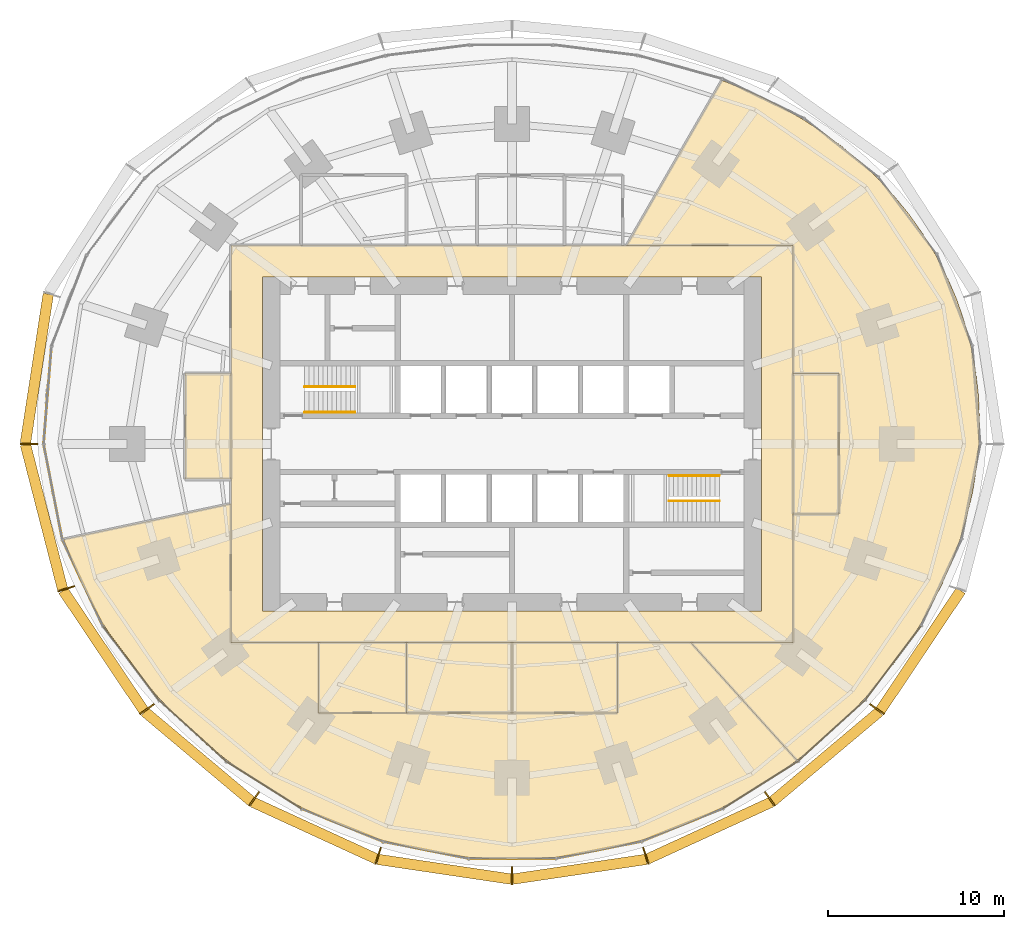
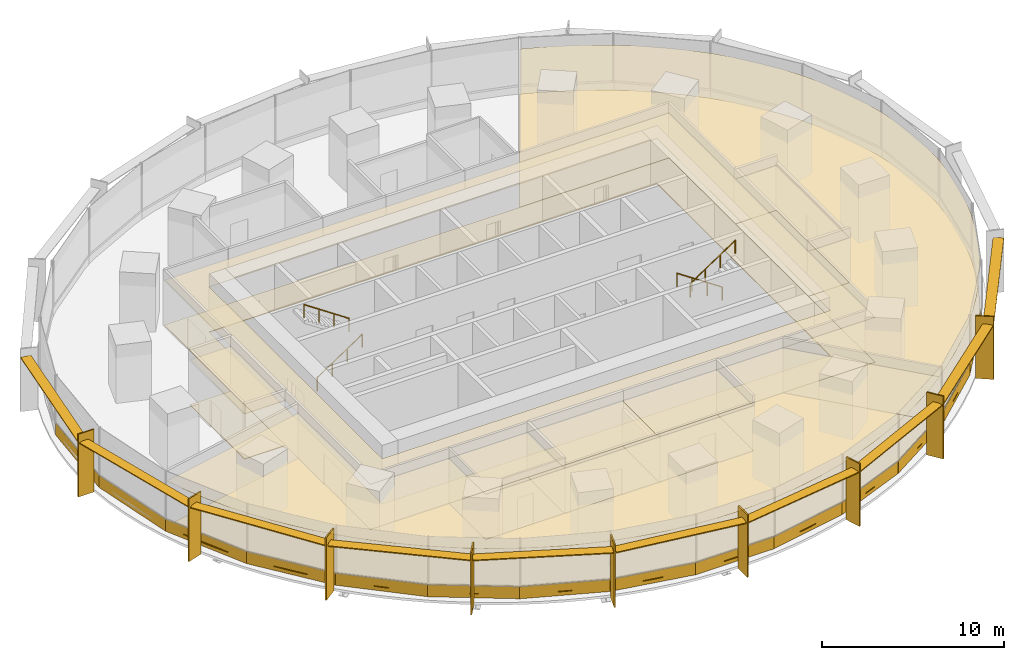
# One storey, part 14 of 15: 30 coverings, 19 shading devices, 4 railings.
"""IFC4 building model written with IfcOpenShell, lengths in metres."""

from ifc_helpers import new_model, si_unit, direction, frame, origin, origin_2d, place, context, subcontext, project, spatial, polyline, rectangle, circle, outline, extrude, material, layer, layer_set, type_object, element, save


model = new_model("IFC4")

# Units and contexts
model_context = context("Model", 3, precision=1e-05, world=origin(), true_north=direction((0.0, 1.0)))
body_context = subcontext(model_context, "Body", "Model", "MODEL_VIEW")
ifc_project = project(units=[si_unit("LENGTHUNIT", "METRE"), si_unit("AREAUNIT", "SQUARE_METRE"), si_unit("VOLUMEUNIT", "CUBIC_METRE"), si_unit("PLANEANGLEUNIT", "RADIAN"), si_unit("MASSUNIT", "GRAM", prefix="KILO")], contexts=[model_context])

# Site, building, storey
site_placement = place(None, origin())
site = spatial("IfcSite", under=ifc_project, at=site_placement, CompositionType="ELEMENT")
building_placement = place(site_placement, origin())
building = spatial("IfcBuilding", under=site, at=building_placement, Name="Marramba Exchange Tower", CompositionType="ELEMENT")
storey_placement = place(building_placement, frame((0.0, 0.0, 44.800048828125)))
storey = spatial("IfcBuildingStorey", under=building, at=storey_placement, Name="L10", CompositionType="ELEMENT", Elevation=44.800048828125)

# Shading devices
ifc_material_1 = material(Name="Aluminium blade, timber-look bronze finish", Category="wood")
ifc_layer_1 = layer(ifc_material_1, 0.080078125)
ifc_layer_set_1 = layer_set([ifc_layer_1], Name="Floor-edge blade 1000x80")
shading_device_type_1 = type_object("IfcShadingDeviceType", Name="Floor-edge blade 1000x80", PredefinedType="USERDEFINED", material=ifc_layer_set_1)
for number, where, z_axis, x_axis, name in (
    (1, (-27.5, 0.0, -0.16015625), (0.0, 0.0, 1.0), (-1.0, 0.0, 0.0), "Floor-edge blade FB1 L10 TC11"),
    (2, (-25.3740234375, -8.24462890625, -0.16015625), (0.0, 0.0, 1.0), (-0.951056516295, -0.309016994375, 0.0), "Floor-edge blade FB1 L10 TC12"),
    (3, (-20.773193359375, -15.092529296875, -0.16015625), (0.0, 0.0, 1.0), (-0.809016994375, -0.587785252292, 0.0), "Floor-edge blade FB1 L10 TC13"),
    (4, (-14.6787109375, -20.20361328125, -0.16015625), (0.0, 0.0, 1.0), (-0.587785252292, -0.809016994375, 0.0), "Floor-edge blade FB1 L10 TC14"),
    (5, (-7.61767578125, -23.444580078125, -0.16015625), (0.0, 0.0, 1.0), (-0.309016994375, -0.951056516295, 0.0), "Floor-edge blade FB1 L10 TC15"),
    (6, (0.0, -24.572021484375, -0.16015625), (0.0, 0.0, 1.0), (0.0, -1.0, 0.0), "Floor-edge blade FB1 L10 TC16"),
    (7, (7.61767578125, -23.444580078125, -0.16015625), (0.0, 0.0, 1.0), (0.309016994375, -0.951056516295, 0.0), "Floor-edge blade FB1 L10 TC17"),
    (8, (14.6787109375, -20.20361328125, -0.16015625), (0.0, 0.0, 1.0), (0.587785252292, -0.809016994375, 0.0), "Floor-edge blade FB1 L10 TC18"),
    (9, (20.773193359375, -15.092529296875, -0.16015625), (0.0, 0.0, 1.0), (0.809016994375, -0.587785252292, 0.0), "Floor-edge blade FB1 L10 TC19"),
):
    element("IfcShadingDevice", number, at=place(storey_placement, frame(where, z_axis=z_axis, x_axis=x_axis)), inside=storey, type_object=shading_device_type_1, Name=name, ObjectType="FIN", PredefinedType="USERDEFINED", context=body_context, shape_type="SweptSolid", body=[
        extrude(rectangle(XDim=1.0, YDim=0.080078125, at=origin_2d()), origin(), (0.0, 0.0, 1.0), 4.199951171875),
    ])

# Coverings
ifc_material_2 = material(Name="Steel raised access floor panels", Category="steel")
ifc_layer_2 = layer(ifc_material_2, 0.050048828125)
ifc_layer_set_2 = layer_set([ifc_layer_2], Name="Raised access floor 300")
covering_type_1 = type_object("IfcCoveringType", Name="Raised access floor 300", PredefinedType="FLOORING", material=ifc_layer_set_2)
covering_1_placement = place(storey_placement, frame((0.0, 0.0, 0.25)))
element("IfcCovering", 10, at=covering_1_placement, inside=storey, type_object=covering_type_1, Name="Raised access floor RAF1 L10 Trading Floor 1", PredefinedType="FLOORING", context=body_context, shape_type="SweptSolid", body=[
    extrude(outline(polyline([(16.0, -4.0), (18.60009765625, -4.0), (18.60009765625, 4.0), (16.0, 4.0), (16.0, 11.300048828125), (6.524169921875, 11.300048828125), (11.94921875, 20.69677734375), (13.135986328125, 20.2275390625), (14.31103515625, 19.697509765625), (15.4697265625, 19.103759765625), (16.60693359375, 18.44384765625), (17.71630859375, 17.71630859375), (18.791259765625, 16.919677734375), (19.8251953125, 16.05419921875), (20.810791015625, 15.119873046875), (21.740478515625, 14.118408203125), (22.607177734375, 13.05224609375), (23.40380859375, 11.9248046875), (24.12353515625, 10.740478515625), (24.76025390625, 9.50439453125), (25.30859375, 8.22314453125), (25.763916015625, 6.9033203125), (26.123291015625, 5.552734375), (26.3837890625, 4.1787109375), (26.544921875, 2.7900390625), (26.6064453125, 1.394287109375), (26.570068359375, 0.0), (26.43798828125, -1.385498046875), (26.213623046875, -2.755126953125), (25.9013671875, -4.102294921875), (25.50634765625, -5.421630859375), (25.033935546875, -6.707763671875), (24.489501953125, -7.95703125), (23.879150390625, -9.166259765625), (23.208251953125, -10.3330078125), (22.482177734375, -11.455322265625), (21.7060546875, -12.531982421875), (20.88427734375, -13.5625), (20.020751953125, -14.5458984375), (19.119384765625, -15.482421875), (18.1826171875, -16.371826171875), (17.213623046875, -17.213623046875), (16.21435546875, -18.0078125), (10.174560546875, -11.300048828125), (16.0, -11.300048828125), (16.0, -4.0)])), origin(), (0.0, 0.0, 1.0), 0.050048828125),
])
covering_2_placement = place(storey_placement, frame((0.0, 0.0, 0.25)))
element("IfcCovering", 11, at=covering_2_placement, inside=storey, type_object=covering_type_1, Name="Raised access floor RAF1 L10 Trading Floor 3", PredefinedType="FLOORING", context=body_context, shape_type="SweptSolid", body=[
    extrude(outline(polyline([(-11.0, -11.300048828125), (-11.0, -15.300048828125), (-6.0, -15.300048828125), (0.0, -15.300048828125), (6.0, -15.300048828125), (6.0, -11.300048828125), (10.174560546875, -11.300048828125), (16.21435546875, -18.0078125), (15.1865234375, -18.75390625), (14.132080078125, -19.451171875), (13.052490234375, -20.09912109375), (11.94921875, -20.69677734375), (10.82373046875, -21.242919921875), (9.677734375, -21.736328125), (8.512451171875, -22.17578125), (7.330078125, -22.56005859375), (6.1328125, -22.8876953125), (4.92236328125, -23.15771484375), (3.701416015625, -23.368896484375), (2.47216796875, -23.5205078125), (1.2373046875, -23.611572265625), (0.0, -23.64208984375), (-1.2373046875, -23.611572265625), (-2.47216796875, -23.5205078125), (-3.701416015625, -23.368896484375), (-4.92236328125, -23.15771484375), (-6.1328125, -22.8876953125), (-7.330078125, -22.56005859375), (-8.512451171875, -22.17578125), (-9.677734375, -21.736328125), (-10.82373046875, -21.242919921875), (-11.94921875, -20.69677734375), (-13.052490234375, -20.09912109375), (-14.132080078125, -19.451171875), (-15.1865234375, -18.75390625), (-16.21435546875, -18.0078125), (-17.213623046875, -17.213623046875), (-18.1826171875, -16.371826171875), (-19.119384765625, -15.482421875), (-20.020751953125, -14.5458984375), (-20.88427734375, -13.5625), (-21.7060546875, -12.531982421875), (-22.482177734375, -11.455322265625), (-23.208251953125, -10.3330078125), (-23.879150390625, -9.166259765625), (-24.489501953125, -7.95703125), (-25.033935546875, -6.707763671875), (-25.50634765625, -5.421630859375), (-16.906494140625, -3.593505859375), (-16.0, -3.40087890625), (-16.0, -11.300048828125), (-11.0, -11.300048828125)])), origin(), (0.0, 0.0, 1.0), 0.050048828125),
])
covering_3_placement = place(storey_placement, frame((0.0, 0.0, 0.25)))
element("IfcCovering", 12, at=covering_3_placement, inside=storey, type_object=covering_type_1, Name="Raised access floor RAF1 L10 Corridor", PredefinedType="FLOORING", context=body_context, shape_type="SweptSolid", body=[
    extrude(outline(polyline([(-16.0, 11.300048828125), (16.0, 11.300048828125), (16.0, -11.300048828125), (-16.0, -11.300048828125), (-16.0, 11.300048828125)]), holes=[polyline([(-14.199951171875, 9.5), (-14.199951171875, -9.5), (14.199951171875, -9.5), (14.199951171875, 9.5), (-14.199951171875, 9.5)])]), origin(), (0.0, 0.0, 1.0), 0.050048828125),
])
covering_4_placement = place(storey_placement, frame((0.0, 0.0, 0.25)))
element("IfcCovering", 13, at=covering_4_placement, inside=storey, type_object=covering_type_1, Name="Raised access floor RAF1 L10 Data Room 1", PredefinedType="FLOORING", context=body_context, shape_type="SweptSolid", body=[
    extrude(outline(polyline([(18.60009765625, -4.0), (16.0, -4.0), (16.0, 4.0), (18.60009765625, 4.0), (18.60009765625, -4.0)])), origin(), (0.0, 0.0, 1.0), 0.050048828125),
])
covering_5_placement = place(storey_placement, frame((0.0, 0.0, 0.25)))
element("IfcCovering", 14, at=covering_5_placement, inside=storey, type_object=covering_type_1, Name="Raised access floor RAF1 L10 Data Room 2", PredefinedType="FLOORING", context=body_context, shape_type="SweptSolid", body=[
    extrude(outline(polyline([(-16.0, -2.0), (-18.60009765625, -2.0), (-18.60009765625, 4.0), (-16.0, 4.0), (-16.0, -2.0)])), origin(), (0.0, 0.0, 1.0), 0.050048828125),
])
covering_6_placement = place(storey_placement, frame((0.0, 0.0, 0.25)))
element("IfcCovering", 15, at=covering_6_placement, inside=storey, type_object=covering_type_1, Name="Raised access floor RAF1 L10 Data Room 3", PredefinedType="FLOORING", context=body_context, shape_type="SweptSolid", body=[
    extrude(outline(polyline([(0.0, -15.300048828125), (-6.0, -15.300048828125), (-6.0, -11.300048828125), (0.0, -11.300048828125), (0.0, -15.300048828125)])), origin(), (0.0, 0.0, 1.0), 0.050048828125),
])
covering_7_placement = place(storey_placement, frame((0.0, 0.0, 0.25)))
element("IfcCovering", 16, at=covering_7_placement, inside=storey, type_object=covering_type_1, Name="Raised access floor RAF1 L10 Meeting Room 3", PredefinedType="FLOORING", context=body_context, shape_type="SweptSolid", body=[
    extrude(outline(polyline([(6.0, -15.300048828125), (0.0, -15.300048828125), (0.0, -11.300048828125), (6.0, -11.300048828125), (6.0, -15.300048828125)])), origin(), (0.0, 0.0, 1.0), 0.050048828125),
])
covering_8_placement = place(storey_placement, frame((0.0, 0.0, 0.25)))
element("IfcCovering", 17, at=covering_8_placement, inside=storey, type_object=covering_type_1, Name="Raised access floor RAF1 L10 Pantry 2", PredefinedType="FLOORING", context=body_context, shape_type="SweptSolid", body=[
    extrude(outline(polyline([(-6.0, -15.300048828125), (-11.0, -15.300048828125), (-11.0, -11.300048828125), (-6.0, -11.300048828125), (-6.0, -15.300048828125)])), origin(), (0.0, 0.0, 1.0), 0.050048828125),
])

# Shading devices
ifc_material_3 = material(Name="Aluminium sunshade, bronze anodised", Category="aluminium")
ifc_layer_3 = layer(ifc_material_3, 0.06005859375)
ifc_layer_set_3 = layer_set([ifc_layer_3], Name="SUNSHADE blade 600x60")
shading_device_type_2 = type_object("IfcShadingDeviceType", Name="SUNSHADE blade 600x60", PredefinedType="USERDEFINED", material=ifc_layer_set_3)
shading_device_1_placement = place(storey_placement, frame((-27.04150390625, 4.2861328125, 3.4599609375), z_axis=(0.0, 0.0, 1.0), x_axis=(-0.151825486228, -0.988407315701, 0.0)))
element("IfcShadingDevice", 18, at=shading_device_1_placement, inside=storey, type_object=shading_device_type_2, Name="Sunshade SS1 L10 bay 10", ObjectType="SUNSHADE", PredefinedType="USERDEFINED", context=body_context, shape_type="SweptSolid", body=[
    extrude(rectangle(XDim=8.593017578125, YDim=0.60009765625, at=origin_2d()), origin(), (0.0, 0.0, 1.0), 0.06005859375),
])
shading_device_2_placement = place(storey_placement, frame((-26.632080078125, -4.153076171875, 3.4599609375), z_axis=(0.0, 0.0, 1.0), x_axis=(0.249024641331, -0.968497149201, 0.0)))
element("IfcShadingDevice", 19, at=shading_device_2_placement, inside=storey, type_object=shading_device_type_2, Name="Sunshade SS1 L10 bay 11", ObjectType="SUNSHADE", PredefinedType="USERDEFINED", context=body_context, shape_type="SweptSolid", body=[
    extrude(rectangle(XDim=8.49658203125, YDim=0.60009765625, at=origin_2d()), origin(), (0.0, 0.0, 1.0), 0.06005859375),
])
shading_device_3_placement = place(storey_placement, frame((-23.24951171875, -11.75830078125, 3.4599609375), z_axis=(0.0, 0.0, 1.0), x_axis=(0.556924164761, -0.830563347798, 0.0)))
element("IfcShadingDevice", 20, at=shading_device_3_placement, inside=storey, type_object=shading_device_type_2, Name="Sunshade SS1 L10 bay 12", ObjectType="SUNSHADE", PredefinedType="USERDEFINED", context=body_context, shape_type="SweptSolid", body=[
    extrude(rectangle(XDim=8.232177734375, YDim=0.60009765625, at=origin_2d()), origin(), (0.0, 0.0, 1.0), 0.06005859375),
])
shading_device_4_placement = place(storey_placement, frame((-17.86572265625, -17.787841796875, 3.4599609375), z_axis=(0.0, 0.0, 1.0), x_axis=(0.765776068523, -0.643107310546, 0.0)))
element("IfcShadingDevice", 21, at=shading_device_4_placement, inside=storey, type_object=shading_device_type_2, Name="Sunshade SS1 L10 bay 13", ObjectType="SUNSHADE", PredefinedType="USERDEFINED", context=body_context, shape_type="SweptSolid", body=[
    extrude(rectangle(XDim=7.936279296875, YDim=0.60009765625, at=origin_2d()), origin(), (0.0, 0.0, 1.0), 0.06005859375),
])
shading_device_5_placement = place(storey_placement, frame((-11.23779296875, -22.0, 3.4599609375), z_axis=(0.0, 0.0, 1.0), x_axis=(0.908703542008, -0.417442059144, 0.0)))
element("IfcShadingDevice", 22, at=shading_device_5_placement, inside=storey, type_object=shading_device_type_2, Name="Sunshade SS1 L10 bay 14", ObjectType="SUNSHADE", PredefinedType="USERDEFINED", context=body_context, shape_type="SweptSolid", body=[
    extrude(rectangle(XDim=7.751953125, YDim=0.60009765625, at=origin_2d()), origin(), (0.0, 0.0, 1.0), 0.06005859375),
])
for number, where, z_axis, x_axis, name in (
    (23, (-3.839599609375, -24.203369140625, 3.4599609375), (0.0, 0.0, 1.0), (0.989212895923, -0.146484970356, 0.0), "Sunshade SS1 L10 bay 15"),
    (24, (3.839599609375, -24.203369140625, 3.4599609375), (0.0, 0.0, 1.0), (0.989212895923, 0.146484970356, 0.0), "Sunshade SS1 L10 bay 16"),
):
    element("IfcShadingDevice", number, at=place(storey_placement, frame(where, z_axis=z_axis, x_axis=x_axis)), inside=storey, type_object=shading_device_type_2, Name=name, ObjectType="SUNSHADE", PredefinedType="USERDEFINED", context=body_context, shape_type="SweptSolid", body=[
        extrude(rectangle(XDim=7.68310546875, YDim=0.60009765625, at=origin_2d()), origin(), (0.0, 0.0, 1.0), 0.06005859375),
    ])
shading_device_6_placement = place(storey_placement, frame((11.23779296875, -22.0, 3.4599609375), z_axis=(0.0, 0.0, 1.0), x_axis=(0.908703542008, 0.417442059144, 0.0)))
element("IfcShadingDevice", 25, at=shading_device_6_placement, inside=storey, type_object=shading_device_type_2, Name="Sunshade SS1 L10 bay 17", ObjectType="SUNSHADE", PredefinedType="USERDEFINED", context=body_context, shape_type="SweptSolid", body=[
    extrude(rectangle(XDim=7.751953125, YDim=0.60009765625, at=origin_2d()), origin(), (0.0, 0.0, 1.0), 0.06005859375),
])
shading_device_7_placement = place(storey_placement, frame((17.86572265625, -17.787841796875, 3.4599609375), z_axis=(0.0, 0.0, 1.0), x_axis=(0.765776068523, 0.643107310546, 0.0)))
element("IfcShadingDevice", 26, at=shading_device_7_placement, inside=storey, type_object=shading_device_type_2, Name="Sunshade SS1 L10 bay 18", ObjectType="SUNSHADE", PredefinedType="USERDEFINED", context=body_context, shape_type="SweptSolid", body=[
    extrude(rectangle(XDim=7.936279296875, YDim=0.60009765625, at=origin_2d()), origin(), (0.0, 0.0, 1.0), 0.06005859375),
])
shading_device_8_placement = place(storey_placement, frame((23.24951171875, -11.75830078125, 3.4599609375), z_axis=(0.0, 0.0, 1.0), x_axis=(0.556924164761, 0.830563347798, 0.0)))
element("IfcShadingDevice", 27, at=shading_device_8_placement, inside=storey, type_object=shading_device_type_2, Name="Sunshade SS1 L10 bay 19", ObjectType="SUNSHADE", PredefinedType="USERDEFINED", context=body_context, shape_type="SweptSolid", body=[
    extrude(rectangle(XDim=8.232177734375, YDim=0.60009765625, at=origin_2d()), origin(), (0.0, 0.0, 1.0), 0.06005859375),
])

# Coverings
ifc_material_4 = material(Name="Aluminium spandrel panel, bronze anodised, insulated", Category="aluminium")
ifc_layer_4 = layer(ifc_material_4, 0.050048828125)
ifc_layer_set_4 = layer_set([ifc_layer_4], Name="Spandrel panel 800")
covering_type_2 = type_object("IfcCoveringType", Name="Spandrel panel 800", PredefinedType="CLADDING", material=ifc_layer_set_4)
covering_9_placement = place(storey_placement, frame((-26.42578125, 2.78466796875, 0.0), z_axis=(0.0, 0.0, 1.0), x_axis=(-0.080275227657, -0.996772736297, 0.0)))
element("IfcCovering", 28, at=covering_9_placement, inside=storey, type_object=covering_type_2, Name="Spandrel panel SP1 L10 F15", PredefinedType="CLADDING", context=body_context, shape_type="SweptSolid", body=[
    extrude(rectangle(XDim=5.58740234375, YDim=0.050048828125, at=origin_2d()), origin(), (0.0, 0.0, 1.0), 0.800048828125),
])
covering_10_placement = place(storey_placement, frame((-26.117431640625, -2.718994140625, 0.0), z_axis=(0.0, 0.0, 1.0), x_axis=(0.19224858127, -0.981346260501, 0.0)))
element("IfcCovering", 29, at=covering_10_placement, inside=storey, type_object=covering_type_2, Name="Spandrel panel SP1 L10 F16", PredefinedType="CLADDING", context=body_context, shape_type="SweptSolid", body=[
    extrude(rectangle(XDim=5.54150390625, YDim=0.050048828125, at=origin_2d()), origin(), (0.0, 0.0, 1.0), 0.800048828125),
])
covering_11_placement = place(storey_placement, frame((-24.432861328125, -7.90185546875, 0.0), z_axis=(0.0, 0.0, 1.0), x_axis=(0.423477213559, -0.905906755464, 0.0)))
element("IfcCovering", 30, at=covering_11_placement, inside=storey, type_object=covering_type_2, Name="Spandrel panel SP1 L10 F17", PredefinedType="CLADDING", context=body_context, shape_type="SweptSolid", body=[
    extrude(rectangle(XDim=5.439208984375, YDim=0.050048828125, at=origin_2d()), origin(), (0.0, 0.0, 1.0), 0.800048828125),
])
covering_12_placement = place(storey_placement, frame((-21.683349609375, -12.479248046875, 0.0), z_axis=(0.0, 0.0, 1.0), x_axis=(0.603040469481, -0.797710594243, 0.0)))
element("IfcCovering", 31, at=covering_12_placement, inside=storey, type_object=covering_type_2, Name="Spandrel panel SP1 L10 F18", PredefinedType="CLADDING", context=body_context, shape_type="SweptSolid", body=[
    extrude(rectangle(XDim=5.299560546875, YDim=0.050048828125, at=origin_2d()), origin(), (0.0, 0.0, 1.0), 0.800048828125),
])
covering_13_placement = place(storey_placement, frame((-18.1767578125, -16.330078125, 0.0), z_axis=(0.0, 0.0, 1.0), x_axis=(0.739589582203, -0.673058132628, 0.0)))
element("IfcCovering", 32, at=covering_13_placement, inside=storey, type_object=covering_type_2, Name="Spandrel panel SP1 L10 F19", PredefinedType="CLADDING", context=body_context, shape_type="SweptSolid", body=[
    extrude(rectangle(XDim=5.161865234375, YDim=0.050048828125, at=origin_2d()), origin(), (0.0, 0.0, 1.0), 0.800048828125),
])
covering_14_placement = place(storey_placement, frame((-14.128662109375, -19.416748046875, 0.0), z_axis=(0.0, 0.0, 1.0), x_axis=(0.845790829799, -0.533514641062, 0.0)))
element("IfcCovering", 33, at=covering_14_placement, inside=storey, type_object=covering_type_2, Name="Spandrel panel SP1 L10 F20", PredefinedType="CLADDING", context=body_context, shape_type="SweptSolid", body=[
    extrude(rectangle(XDim=5.05859375, YDim=0.050048828125, at=origin_2d()), origin(), (0.0, 0.0, 1.0), 0.800048828125),
])
covering_15_placement = place(storey_placement, frame((-9.672119140625, -21.701171875, 0.0), z_axis=(0.0, 0.0, 1.0), x_axis=(0.927340675001, -0.374218215069, 0.0)))
element("IfcCovering", 34, at=covering_15_placement, inside=storey, type_object=covering_type_2, Name="Spandrel panel SP1 L10 F21", PredefinedType="CLADDING", context=body_context, shape_type="SweptSolid", body=[
    extrude(rectangle(XDim=4.99755859375, YDim=0.050048828125, at=origin_2d()), origin(), (0.0, 0.0, 1.0), 0.800048828125),
])
covering_16_placement = place(storey_placement, frame((-4.917724609375, -23.1181640625, 0.0), z_axis=(0.0, 0.0, 1.0), x_axis=(0.981009201842, -0.193961196898, 0.0)))
element("IfcCovering", 35, at=covering_16_placement, inside=storey, type_object=covering_type_2, Name="Spandrel panel SP1 L10 F22", PredefinedType="CLADDING", context=body_context, shape_type="SweptSolid", body=[
    extrude(rectangle(XDim=4.96875, YDim=0.050048828125, at=origin_2d()), origin(), (0.0, 0.0, 1.0), 0.800048828125),
])
covering_17_placement = place(storey_placement, frame((0.0, -23.599853515625, 0.0), z_axis=(0.0, 0.0, 1.0), x_axis=(1.0, 0.0, 0.0)))
element("IfcCovering", 36, at=covering_17_placement, inside=storey, type_object=covering_type_2, Name="Spandrel panel SP1 L10 F23", PredefinedType="CLADDING", context=body_context, shape_type="SweptSolid", body=[
    extrude(rectangle(XDim=4.9609375, YDim=0.050048828125, at=origin_2d()), origin(), (0.0, 0.0, 1.0), 0.800048828125),
])
covering_18_placement = place(storey_placement, frame((4.917724609375, -23.1181640625, 0.0), z_axis=(0.0, 0.0, 1.0), x_axis=(0.981009201842, 0.193961196898, 0.0)))
element("IfcCovering", 37, at=covering_18_placement, inside=storey, type_object=covering_type_2, Name="Spandrel panel SP1 L10 F24", PredefinedType="CLADDING", context=body_context, shape_type="SweptSolid", body=[
    extrude(rectangle(XDim=4.96875, YDim=0.050048828125, at=origin_2d()), origin(), (0.0, 0.0, 1.0), 0.800048828125),
])
covering_19_placement = place(storey_placement, frame((9.672119140625, -21.701171875, 0.0), z_axis=(0.0, 0.0, 1.0), x_axis=(0.927340675001, 0.374218215069, 0.0)))
element("IfcCovering", 38, at=covering_19_placement, inside=storey, type_object=covering_type_2, Name="Spandrel panel SP1 L10 F25", PredefinedType="CLADDING", context=body_context, shape_type="SweptSolid", body=[
    extrude(rectangle(XDim=4.99755859375, YDim=0.050048828125, at=origin_2d()), origin(), (0.0, 0.0, 1.0), 0.800048828125),
])
covering_20_placement = place(storey_placement, frame((14.128662109375, -19.416748046875, 0.0), z_axis=(0.0, 0.0, 1.0), x_axis=(0.845790829799, 0.533514641062, 0.0)))
element("IfcCovering", 39, at=covering_20_placement, inside=storey, type_object=covering_type_2, Name="Spandrel panel SP1 L10 F26", PredefinedType="CLADDING", context=body_context, shape_type="SweptSolid", body=[
    extrude(rectangle(XDim=5.05859375, YDim=0.050048828125, at=origin_2d()), origin(), (0.0, 0.0, 1.0), 0.800048828125),
])
covering_21_placement = place(storey_placement, frame((18.1767578125, -16.330078125, 0.0), z_axis=(0.0, 0.0, 1.0), x_axis=(0.739589582203, 0.673058132628, 0.0)))
element("IfcCovering", 40, at=covering_21_placement, inside=storey, type_object=covering_type_2, Name="Spandrel panel SP1 L10 F27", PredefinedType="CLADDING", context=body_context, shape_type="SweptSolid", body=[
    extrude(rectangle(XDim=5.161865234375, YDim=0.050048828125, at=origin_2d()), origin(), (0.0, 0.0, 1.0), 0.800048828125),
])
covering_22_placement = place(storey_placement, frame((21.683349609375, -12.479248046875, 0.0), z_axis=(0.0, 0.0, 1.0), x_axis=(0.603040469481, 0.797710594243, 0.0)))
element("IfcCovering", 41, at=covering_22_placement, inside=storey, type_object=covering_type_2, Name="Spandrel panel SP1 L10 F28", PredefinedType="CLADDING", context=body_context, shape_type="SweptSolid", body=[
    extrude(rectangle(XDim=5.299560546875, YDim=0.050048828125, at=origin_2d()), origin(), (0.0, 0.0, 1.0), 0.800048828125),
])

# Railings
ifc_material_5 = material(Name="Stainless steel handrail", Category="steel")
railing_type = type_object("IfcRailingType", Name="Stair handrail 900", PredefinedType="HANDRAIL", material=ifc_material_5)
railing_1_placement = place(storey_placement, frame((-11.800048828125, 1.800048828125, 0.175048828125)))
element("IfcRailing", 42, at=railing_1_placement, inside=storey, type_object=railing_type, Name="Handrail HR1 ST1 L10 flight 1", PredefinedType="HANDRAIL", context=body_context, shape_type="SweptSolid", body=[
    extrude(circle(Radius=0.02392578125, at=origin_2d()), frame((0.0, 0.0, 0.8759765625), z_axis=(0.829623704247, 0.0, 0.558322943601), x_axis=(0.0, 1.0, 0.0)), (0.0, 0.0, 1.0), 3.447509765625),
    extrude(circle(Radius=0.02099609375, at=origin_2d()), origin(), (0.0, 0.0, 1.0), 0.851806640625),
    extrude(circle(Radius=0.02099609375, at=origin_2d()), frame((0.953369140625, 0.0, 0.6416015625)), (0.0, 0.0, 1.0), 0.851806640625),
    extrude(circle(Radius=0.02099609375, at=origin_2d()), frame((1.90673828125, 0.0, 1.283203125)), (0.0, 0.0, 1.0), 0.851806640625),
    extrude(circle(Radius=0.02099609375, at=origin_2d()), frame((2.860107421875, 0.0, 1.9248046875)), (0.0, 0.0, 1.0), 0.851806640625),
])
railing_2_placement = place(storey_placement, frame((-8.93994140625, 3.25, 2.27490234375)))
element("IfcRailing", 43, at=railing_2_placement, inside=storey, type_object=railing_type, Name="Handrail HR1 ST1 L10 flight 2", PredefinedType="HANDRAIL", context=body_context, shape_type="SweptSolid", body=[
    extrude(circle(Radius=0.02392578125, at=origin_2d()), frame((0.0, 0.0, 0.8759765625), z_axis=(-0.829590901723, 0.0, 0.558371682465), x_axis=(0.0, -1.0, 0.0)), (0.0, 0.0, 1.0), 3.447509765625),
    extrude(circle(Radius=0.02099609375, at=origin_2d()), origin(), (0.0, 0.0, 1.0), 0.851806640625),
    extrude(circle(Radius=0.02099609375, at=origin_2d()), frame((-0.953369140625, 0.0, 0.6416015625)), (0.0, 0.0, 1.0), 0.851806640625),
    extrude(circle(Radius=0.02099609375, at=origin_2d()), frame((-1.90673828125, 0.0, 1.283447265625)), (0.0, 0.0, 1.0), 0.851806640625),
    extrude(circle(Radius=0.02099609375, at=origin_2d()), frame((-2.860107421875, 0.0, 1.925048828125)), (0.0, 0.0, 1.0), 0.851806640625),
])
railing_3_placement = place(storey_placement, frame((11.800048828125, -1.800048828125, 0.175048828125)))
element("IfcRailing", 44, at=railing_3_placement, inside=storey, type_object=railing_type, Name="Handrail HR1 ST2 L10 flight 1", PredefinedType="HANDRAIL", context=body_context, shape_type="SweptSolid", body=[
    extrude(circle(Radius=0.02392578125, at=origin_2d()), frame((0.0, 0.0, 0.8759765625), z_axis=(-0.829623704247, 0.0, 0.558322943601), x_axis=(0.0, -1.0, 0.0)), (0.0, 0.0, 1.0), 3.447509765625),
    extrude(circle(Radius=0.02099609375, at=origin_2d()), origin(), (0.0, 0.0, 1.0), 0.851806640625),
    extrude(circle(Radius=0.02099609375, at=origin_2d()), frame((-0.953369140625, 0.0, 0.6416015625)), (0.0, 0.0, 1.0), 0.851806640625),
    extrude(circle(Radius=0.02099609375, at=origin_2d()), frame((-1.90673828125, 0.0, 1.283203125)), (0.0, 0.0, 1.0), 0.851806640625),
    extrude(circle(Radius=0.02099609375, at=origin_2d()), frame((-2.860107421875, 0.0, 1.9248046875)), (0.0, 0.0, 1.0), 0.851806640625),
])
railing_4_placement = place(storey_placement, frame((8.93994140625, -3.25, 2.27490234375)))
element("IfcRailing", 45, at=railing_4_placement, inside=storey, type_object=railing_type, Name="Handrail HR1 ST2 L10 flight 2", PredefinedType="HANDRAIL", context=body_context, shape_type="SweptSolid", body=[
    extrude(circle(Radius=0.02392578125, at=origin_2d()), frame((0.0, 0.0, 0.8759765625), z_axis=(0.829590901723, 0.0, 0.558371682465), x_axis=(0.0, 1.0, 0.0)), (0.0, 0.0, 1.0), 3.447509765625),
    extrude(circle(Radius=0.02099609375, at=origin_2d()), origin(), (0.0, 0.0, 1.0), 0.851806640625),
    extrude(circle(Radius=0.02099609375, at=origin_2d()), frame((0.953369140625, 0.0, 0.6416015625)), (0.0, 0.0, 1.0), 0.851806640625),
    extrude(circle(Radius=0.02099609375, at=origin_2d()), frame((1.90673828125, 0.0, 1.283447265625)), (0.0, 0.0, 1.0), 0.851806640625),
    extrude(circle(Radius=0.02099609375, at=origin_2d()), frame((2.860107421875, 0.0, 1.925048828125)), (0.0, 0.0, 1.0), 0.851806640625),
])

# Coverings
ifc_material_6 = material(Name="Mineral fibre ceiling tiles", Category="gypsum")
ifc_layer_5 = layer(ifc_material_6, 0.02001953125)
ifc_layer_set_5 = layer_set([ifc_layer_5], Name="Suspended ceiling 20")
covering_type_3 = type_object("IfcCoveringType", Name="Suspended ceiling 20", PredefinedType="CEILING", material=ifc_layer_set_5)
covering_23_placement = place(storey_placement, frame((0.0, 0.0, 3.300048828125)))
element("IfcCovering", 46, at=covering_23_placement, inside=storey, type_object=covering_type_3, Name="Ceiling CL1 L10 Trading Floor 1", PredefinedType="CEILING", context=body_context, shape_type="SweptSolid", body=[
    extrude(outline(polyline([(16.0, -4.0), (18.60009765625, -4.0), (18.60009765625, 4.0), (16.0, 4.0), (16.0, 11.300048828125), (6.524169921875, 11.300048828125), (11.94921875, 20.69677734375), (13.135986328125, 20.2275390625), (14.31103515625, 19.697509765625), (15.4697265625, 19.103759765625), (16.60693359375, 18.44384765625), (17.71630859375, 17.71630859375), (18.791259765625, 16.919677734375), (19.8251953125, 16.05419921875), (20.810791015625, 15.119873046875), (21.740478515625, 14.118408203125), (22.607177734375, 13.05224609375), (23.40380859375, 11.9248046875), (24.12353515625, 10.740478515625), (24.76025390625, 9.50439453125), (25.30859375, 8.22314453125), (25.763916015625, 6.9033203125), (26.123291015625, 5.552734375), (26.3837890625, 4.1787109375), (26.544921875, 2.7900390625), (26.6064453125, 1.394287109375), (26.570068359375, 0.0), (26.43798828125, -1.385498046875), (26.213623046875, -2.755126953125), (25.9013671875, -4.102294921875), (25.50634765625, -5.421630859375), (25.033935546875, -6.707763671875), (24.489501953125, -7.95703125), (23.879150390625, -9.166259765625), (23.208251953125, -10.3330078125), (22.482177734375, -11.455322265625), (21.7060546875, -12.531982421875), (20.88427734375, -13.5625), (20.020751953125, -14.5458984375), (19.119384765625, -15.482421875), (18.1826171875, -16.371826171875), (17.213623046875, -17.213623046875), (16.21435546875, -18.0078125), (10.174560546875, -11.300048828125), (16.0, -11.300048828125), (16.0, -4.0)])), origin(), (0.0, 0.0, 1.0), 0.02001953125),
])
covering_24_placement = place(storey_placement, frame((0.0, 0.0, 3.300048828125)))
element("IfcCovering", 47, at=covering_24_placement, inside=storey, type_object=covering_type_3, Name="Ceiling CL1 L10 Trading Floor 3", PredefinedType="CEILING", context=body_context, shape_type="SweptSolid", body=[
    extrude(outline(polyline([(-11.0, -11.300048828125), (-11.0, -15.300048828125), (-6.0, -15.300048828125), (0.0, -15.300048828125), (6.0, -15.300048828125), (6.0, -11.300048828125), (10.174560546875, -11.300048828125), (16.21435546875, -18.0078125), (15.1865234375, -18.75390625), (14.132080078125, -19.451171875), (13.052490234375, -20.09912109375), (11.94921875, -20.69677734375), (10.82373046875, -21.242919921875), (9.677734375, -21.736328125), (8.512451171875, -22.17578125), (7.330078125, -22.56005859375), (6.1328125, -22.8876953125), (4.92236328125, -23.15771484375), (3.701416015625, -23.368896484375), (2.47216796875, -23.5205078125), (1.2373046875, -23.611572265625), (0.0, -23.64208984375), (-1.2373046875, -23.611572265625), (-2.47216796875, -23.5205078125), (-3.701416015625, -23.368896484375), (-4.92236328125, -23.15771484375), (-6.1328125, -22.8876953125), (-7.330078125, -22.56005859375), (-8.512451171875, -22.17578125), (-9.677734375, -21.736328125), (-10.82373046875, -21.242919921875), (-11.94921875, -20.69677734375), (-13.052490234375, -20.09912109375), (-14.132080078125, -19.451171875), (-15.1865234375, -18.75390625), (-16.21435546875, -18.0078125), (-17.213623046875, -17.213623046875), (-18.1826171875, -16.371826171875), (-19.119384765625, -15.482421875), (-20.020751953125, -14.5458984375), (-20.88427734375, -13.5625), (-21.7060546875, -12.531982421875), (-22.482177734375, -11.455322265625), (-23.208251953125, -10.3330078125), (-23.879150390625, -9.166259765625), (-24.489501953125, -7.95703125), (-25.033935546875, -6.707763671875), (-25.50634765625, -5.421630859375), (-16.906494140625, -3.593505859375), (-16.0, -3.40087890625), (-16.0, -11.300048828125), (-11.0, -11.300048828125)])), origin(), (0.0, 0.0, 1.0), 0.02001953125),
])
covering_25_placement = place(storey_placement, frame((0.0, 0.0, 3.300048828125)))
element("IfcCovering", 48, at=covering_25_placement, inside=storey, type_object=covering_type_3, Name="Ceiling CL1 L10 Corridor", PredefinedType="CEILING", context=body_context, shape_type="SweptSolid", body=[
    extrude(outline(polyline([(-16.0, 11.300048828125), (16.0, 11.300048828125), (16.0, -11.300048828125), (-16.0, -11.300048828125), (-16.0, 11.300048828125)]), holes=[polyline([(-14.199951171875, 9.5), (-14.199951171875, -9.5), (14.199951171875, -9.5), (14.199951171875, 9.5), (-14.199951171875, 9.5)])]), origin(), (0.0, 0.0, 1.0), 0.02001953125),
])
covering_26_placement = place(storey_placement, frame((0.0, 0.0, 3.300048828125)))
element("IfcCovering", 49, at=covering_26_placement, inside=storey, type_object=covering_type_3, Name="Ceiling CL1 L10 Data Room 1", PredefinedType="CEILING", context=body_context, shape_type="SweptSolid", body=[
    extrude(outline(polyline([(18.60009765625, -4.0), (16.0, -4.0), (16.0, 4.0), (18.60009765625, 4.0), (18.60009765625, -4.0)])), origin(), (0.0, 0.0, 1.0), 0.02001953125),
])
covering_27_placement = place(storey_placement, frame((0.0, 0.0, 3.300048828125)))
element("IfcCovering", 50, at=covering_27_placement, inside=storey, type_object=covering_type_3, Name="Ceiling CL1 L10 Data Room 2", PredefinedType="CEILING", context=body_context, shape_type="SweptSolid", body=[
    extrude(outline(polyline([(-16.0, -2.0), (-18.60009765625, -2.0), (-18.60009765625, 4.0), (-16.0, 4.0), (-16.0, -2.0)])), origin(), (0.0, 0.0, 1.0), 0.02001953125),
])
covering_28_placement = place(storey_placement, frame((0.0, 0.0, 3.300048828125)))
element("IfcCovering", 51, at=covering_28_placement, inside=storey, type_object=covering_type_3, Name="Ceiling CL1 L10 Data Room 3", PredefinedType="CEILING", context=body_context, shape_type="SweptSolid", body=[
    extrude(outline(polyline([(0.0, -15.300048828125), (-6.0, -15.300048828125), (-6.0, -11.300048828125), (0.0, -11.300048828125), (0.0, -15.300048828125)])), origin(), (0.0, 0.0, 1.0), 0.02001953125),
])
covering_29_placement = place(storey_placement, frame((0.0, 0.0, 3.300048828125)))
element("IfcCovering", 52, at=covering_29_placement, inside=storey, type_object=covering_type_3, Name="Ceiling CL1 L10 Meeting Room 3", PredefinedType="CEILING", context=body_context, shape_type="SweptSolid", body=[
    extrude(outline(polyline([(6.0, -15.300048828125), (0.0, -15.300048828125), (0.0, -11.300048828125), (6.0, -11.300048828125), (6.0, -15.300048828125)])), origin(), (0.0, 0.0, 1.0), 0.02001953125),
])
covering_30_placement = place(storey_placement, frame((0.0, 0.0, 3.300048828125)))
element("IfcCovering", 53, at=covering_30_placement, inside=storey, type_object=covering_type_3, Name="Ceiling CL1 L10 Pantry 2", PredefinedType="CEILING", context=body_context, shape_type="SweptSolid", body=[
    extrude(outline(polyline([(-6.0, -15.300048828125), (-11.0, -15.300048828125), (-11.0, -11.300048828125), (-6.0, -11.300048828125), (-6.0, -15.300048828125)])), origin(), (0.0, 0.0, 1.0), 0.02001953125),
])

save(model, "model.ifc")
